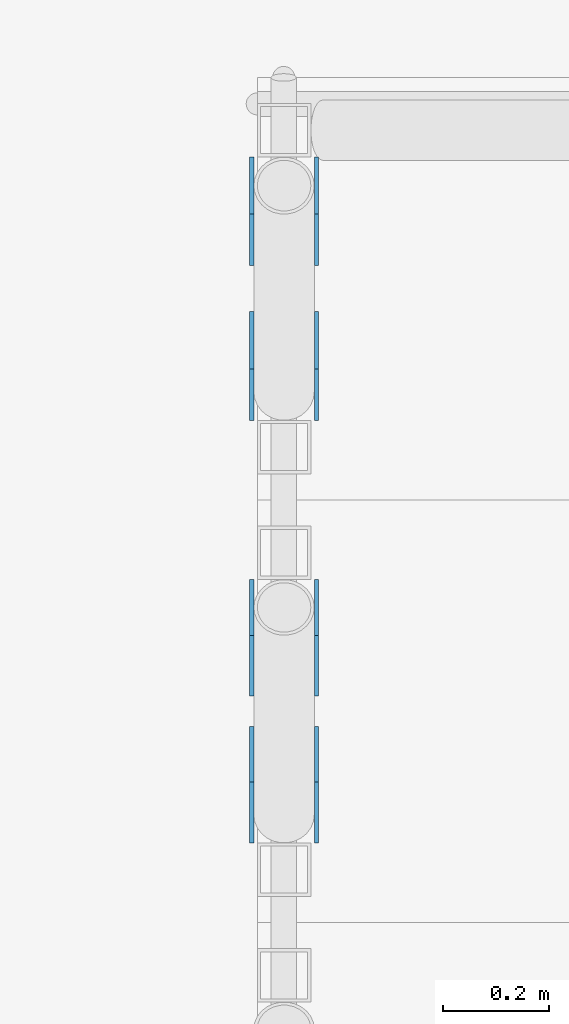
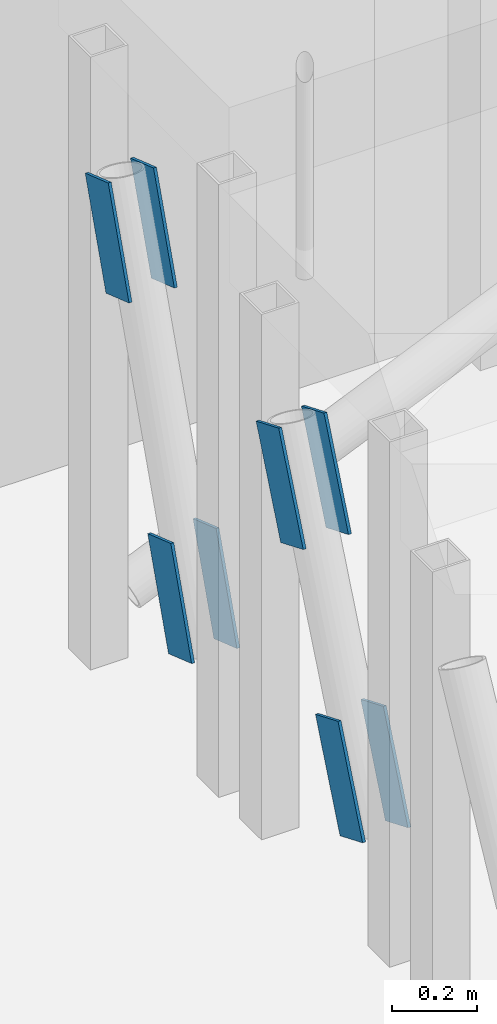
# One storey, part 103 of 139: 8 discrete accessories.
"""IFC4 building model written with IfcOpenShell, lengths in metres."""

from ifc_helpers import new_model, si_unit, direction, frame, origin, origin_2d, place, context, subcontext, project, spatial, rectangle, extrude, material, material_profile, profile_set, type_object, element, save


model = new_model("IFC4")

# Units and contexts
model_context = context("Model", 3, precision=1e-05, world=origin(), true_north=direction((0.0, 1.0)))
body_context = subcontext(model_context, "Body", "Model", "MODEL_VIEW")
ifc_project = project(units=[si_unit("LENGTHUNIT", "METRE"), si_unit("AREAUNIT", "SQUARE_METRE"), si_unit("VOLUMEUNIT", "CUBIC_METRE"), si_unit("PLANEANGLEUNIT", "RADIAN"), si_unit("MASSUNIT", "GRAM", prefix="KILO")], contexts=[model_context])

# Site, building, storey
site_placement = place(None, origin())
site = spatial("IfcSite", under=ifc_project, at=site_placement, CompositionType="ELEMENT")
building_placement = place(site_placement, origin())
building = spatial("IfcBuilding", under=site, at=building_placement, Name="Verrick Yard Athletic Hall", CompositionType="ELEMENT")
storey_placement = place(building_placement, origin())
storey = spatial("IfcBuildingStorey", under=building, at=storey_placement, Name="L00", CompositionType="ELEMENT", Elevation=0.0)

# Discrete accessories
ifc_material = material(Name="Structural steel 350W (CSA G40.21)", Category="steel")
ifc_material_profile = material_profile(ifc_material, rectangle(XDim=0.300048828125, YDim=0.1142578125, at=origin_2d()), Name="Brace end cheek plate")
ifc_profile_set = profile_set([ifc_material_profile], Name="Structural steel 350W (CSA G40.21)")
discrete_accessory_type = type_object("IfcDiscreteAccessoryType", Name="Brace end cheek plate 300x114x8", PredefinedType="BRACKET", material=ifc_profile_set)
for number, where, z_axis, x_axis, name in (
    (1, (124.793701171875, 98.861083984375, 0.41552734375), (-1.0, 0.0, 0.0), (0.0, 0.38356594195, 0.923513491063), "Seating brace end plate RSA1-a7 1"),
    (2, (124.907958984375, 98.861083984375, 0.41552734375), (1.0, 0.0, 0.0), (0.0, 0.38356594195, 0.923513491063), "Seating brace end plate RSA1-a7 2"),
    (3, (124.907958984375, 99.138916015625, 1.08447265625), (1.0, 0.0, 0.0), (0.0, -0.38356594195, -0.923513491063), "Seating brace end plate RSA1-a7 1"),
    (4, (124.793701171875, 99.138916015625, 1.08447265625), (-1.0, 0.0, 0.0), (0.0, -0.38356594195, -0.923513491063), "Seating brace end plate RSA1-a7 2"),
    (5, (124.793701171875, 99.653564453125, 0.448974609375), (-1.0, 0.0, 0.0), (0.0, 0.325057902003, 0.945694115634), "Seating brace end plate RSA1-a8 1"),
    (6, (124.907958984375, 99.653564453125, 0.448974609375), (1.0, 0.0, 0.0), (0.0, 0.325057902003, 0.945694115634), "Seating brace end plate RSA1-a8 2"),
    (7, (124.907958984375, 99.9462890625, 1.301025390625), (1.0, 0.0, 0.0), (0.0, -0.325057902003, -0.945694115634), "Seating brace end plate RSA1-a8 1"),
    (8, (124.793701171875, 99.9462890625, 1.301025390625), (-1.0, 0.0, 0.0), (0.0, -0.325057902003, -0.945694115634), "Seating brace end plate RSA1-a8 2"),
):
    element("IfcDiscreteAccessory", number, at=place(storey_placement, frame(where, z_axis=z_axis, x_axis=x_axis)), inside=storey, type_object=discrete_accessory_type, Name=name, PredefinedType="BRACKET", context=body_context, shape_type="SweptSolid", body=[
        extrude(rectangle(XDim=0.300048828125, YDim=0.1142578125, at=origin_2d()), origin(), (0.0, 0.0, 1.0), 0.008056640625),
    ])

save(model, "model.ifc")
